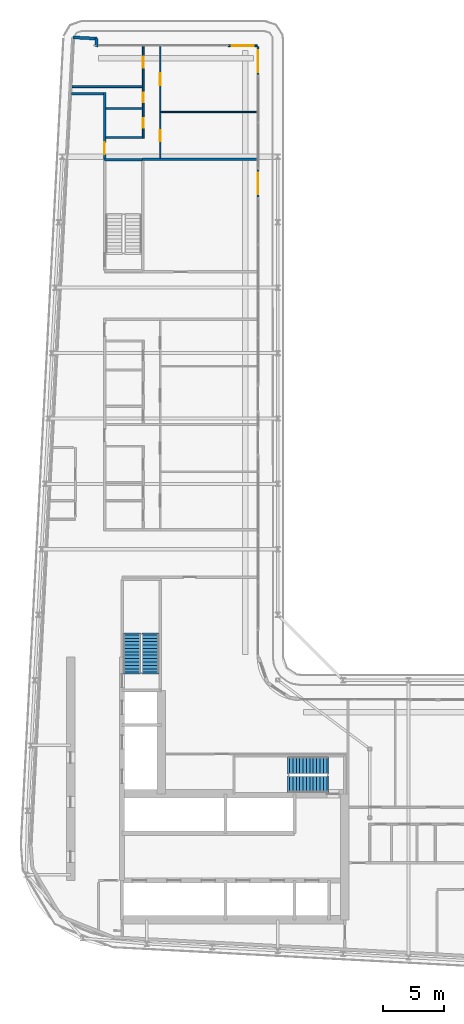
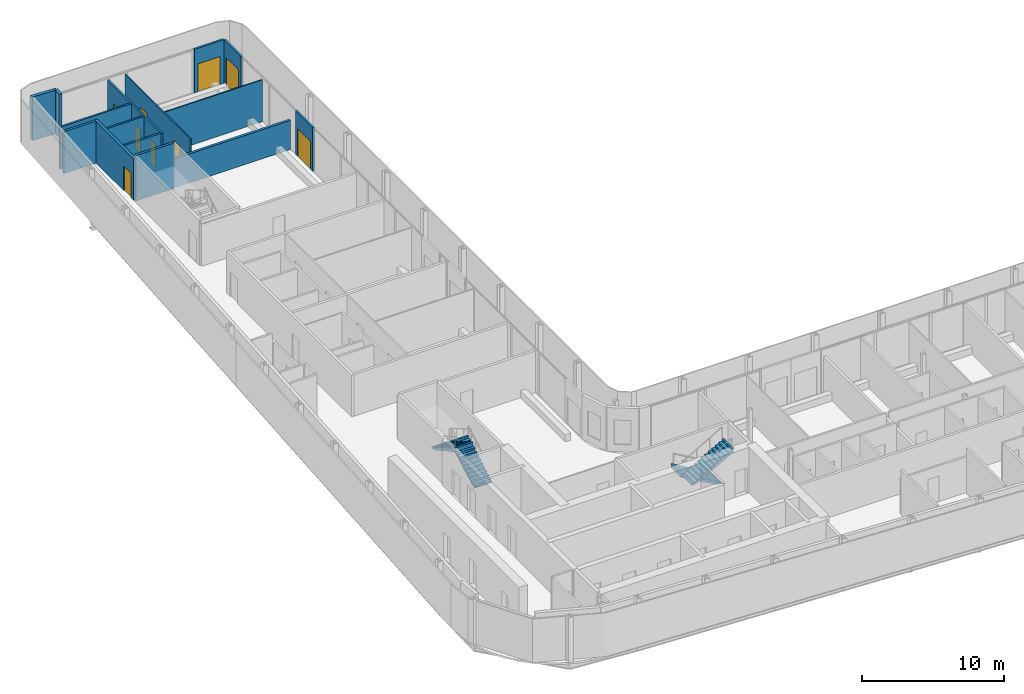
# One storey, part 15 of 23: 15 walls, 9 doors, 4 stair flights, 9 openings, 2 elements without a shape of their own.
"""IFC4 building model written with IfcOpenShell, lengths in metres."""

from ifc_helpers import new_model, si_unit, direction, frame, frame_2d, origin, place, context, subcontext, project, spatial, polyline, rectangle, outline, extrude, source, transform, mapped, material, layer, layer_set, type_object, element, fill, aggregate, save


model = new_model("IFC4")

# Units and contexts
model_context = context("Model", 3, precision=1e-05, world=origin(), true_north=direction((0.0, 1.0)))
body_context = subcontext(model_context, "Body", "Model", "MODEL_VIEW")
ifc_project = project(units=[si_unit("LENGTHUNIT", "METRE"), si_unit("AREAUNIT", "SQUARE_METRE"), si_unit("VOLUMEUNIT", "CUBIC_METRE"), si_unit("PLANEANGLEUNIT", "RADIAN"), si_unit("MASSUNIT", "GRAM", prefix="KILO")], contexts=[model_context])

# Site, building, storey
site_placement = place(None, origin())
site = spatial("IfcSite", under=ifc_project, at=site_placement, CompositionType="ELEMENT")
building_placement = place(site_placement, origin())
building = spatial("IfcBuilding", under=site, at=building_placement, Name="Kheshtan School and Residences Tower", CompositionType="ELEMENT")
storey_placement = place(building_placement, frame((0.0, 0.0, 247.39990234375)))
storey = spatial("IfcBuildingStorey", under=building, at=storey_placement, Name="L58", CompositionType="ELEMENT", Elevation=247.39990234375)

# Wall
ifc_material_1 = material(Name="Gypsum board on steel studs with fire boards", Category="steel")
ifc_layer_1 = layer(ifc_material_1, 0.199951171875)
ifc_layer_set_1 = layer_set([ifc_layer_1], Name="Corridor wall 200")
wall_type_1 = type_object("IfcWallType", Name="Corridor wall 200", PredefinedType="PARTITIONING", material=ifc_layer_set_1)
wall_1_placement = place(storey_placement, frame((30.584716796875, 94.0, 0.0), z_axis=(0.0, 0.0, 1.0), x_axis=(1.0, 0.0, 0.0)))
element("IfcWall", 1, at=wall_1_placement, inside=storey, type_object=wall_type_1, Name="Partition L58-002", PredefinedType="PARTITIONING", context=body_context, shape_type="SweptSolid", body=[
    extrude(rectangle(XDim=2.615234375, YDim=0.199951171875, at=frame_2d((1.3076171875, 0.0))), origin(), (0.0, 0.0, 1.0), 3.60009765625),
])

# Wall, opening, door
wall_2_placement = place(storey_placement, frame((33.300048828125, 88.60009765625, 0.0), z_axis=(0.0, 0.0, 1.0), x_axis=(0.0, 1.0, 0.0)))
wall_2 = element("IfcWall", 2, at=wall_2_placement, inside=storey, type_object=wall_type_1, Name="Partition L58-005", PredefinedType="PARTITIONING", context=body_context, shape_type="SweptSolid", body=[
    extrude(rectangle(XDim=5.5, YDim=0.199951171875, at=frame_2d((2.75, 0.0))), origin(), (0.0, 0.0, 1.0), 3.60009765625),
])
opening_1_placement = place(wall_2_placement, frame((0.39990234375, 0.0, 0.0)))
opening_1 = element("IfcOpeningElement", 3, at=opening_1_placement, cuts=wall_2, Name="Opening D58-036", PredefinedType="OPENING", context=body_context, shape_type="SweptSolid", body=[
    extrude(rectangle(XDim=1.0, YDim=2.10009765625, at=frame_2d((0.5, 1.050048828125))), frame((0.0, 0.10986328125, 0.0), z_axis=(0.0, -1.0, 0.0), x_axis=(1.0, 0.0, 0.0)), (0.0, 0.0, 1.0), 0.219970703125),
])
ifc_material_2 = material(Name="Steel-framed fire-resisting door leaf", Category="steel")
door_type_1 = type_object("IfcDoorType", Name="Fire door FD30S 1000 x 2100", OperationType="SINGLE_SWING_LEFT", PredefinedType="DOOR", material=ifc_material_2)
shared_shape_1 = source(origin(), body_context, "Body", "SweptSolid", [
    extrude(rectangle(XDim=1.0, YDim=2.10009765625, at=frame_2d((0.5, 1.050048828125))), frame((0.0, 0.02490234375, 0.0), z_axis=(0.0, -1.0, 0.0), x_axis=(1.0, 0.0, 0.0)), (0.0, 0.0, 1.0), 0.050048828125),
])
door_1_placement = place(opening_1_placement, origin())
door_1 = element("IfcDoor", 4, at=door_1_placement, inside=storey, type_object=door_type_1, Name="Door D58-036", OperationType="SINGLE_SWING_LEFT", OverallHeight=2.10009765625, OverallWidth=1.0, PredefinedType="DOOR", context=body_context, shape_type="MappedRepresentation", body=[
    mapped(shared_shape_1, transform((0.0, 0.0, 0.0), x_axis=(1.0, 0.0, 0.0), y_axis=(0.0, 1.0, 0.0), z_axis=(0.0, 0.0, 1.0), scale=1.0)),
])
fill(opening_1, door_1)

# Walls
ifc_material_3 = material(Name="Concrete C40/50 with ceramic cladding and mineral wool insulation", Category="concrete")
ifc_layer_2 = layer(ifc_material_3, 0.25)
ifc_layer_set_2 = layer_set([ifc_layer_2], Name="External wall 250 ceramic clad")
wall_type_2 = type_object("IfcWallType", Name="External wall 250 ceramic clad", PredefinedType="SOLIDWALL", material=ifc_layer_set_2)
wall_3_placement = place(storey_placement, frame((30.705078125, 98.6640625, 0.0), z_axis=(0.0, 0.0, 1.0), x_axis=(0.998577785791, -0.053314216913, 0.0)))
element("IfcWall", 5, at=wall_3_placement, inside=storey, type_object=wall_type_2, Name="External wall L58 5", PredefinedType="SOLIDWALL", context=body_context, shape_type="SweptSolid", body=[
    extrude(rectangle(XDim=1.95068359375, YDim=0.25, at=frame_2d((0.975341796875, 0.0))), origin(), (0.0, 0.0, 1.0), 3.75),
])
wall_4_placement = place(storey_placement, frame((32.653076171875, 98.56005859375, 0.0), z_axis=(0.0, 0.0, 1.0), x_axis=(-0.054093451632, -0.998535877418, 0.0)))
element("IfcWall", 6, at=wall_4_placement, inside=storey, type_object=wall_type_2, Name="External wall L58 6", PredefinedType="SOLIDWALL", context=body_context, shape_type="SweptSolid", body=[
    extrude(rectangle(XDim=0.66796875, YDim=0.25, at=frame_2d((0.333984375, 0.0))), origin(), (0.0, 0.0, 1.0), 3.75),
])

# Wall, opening, door
ifc_material_4 = material(Name="Aluminium frame wall with insulated infill", Category="aluminium")
ifc_layer_3 = layer(ifc_material_4, 0.14990234375)
ifc_layer_set_3 = layer_set([ifc_layer_3], Name="Glazing frame wall 150")
wall_type_3 = type_object("IfcWallType", Name="Glazing frame wall 150", PredefinedType="SOLIDWALL", material=ifc_layer_set_3)
wall_5_placement = place(storey_placement, frame((43.5, 97.97509765625, 0.0), z_axis=(0.0, 0.0, 1.0), x_axis=(1.0, 0.0, 0.0)))
wall_5 = element("IfcWall", 7, at=wall_5_placement, inside=storey, type_object=wall_type_3, Name="Balcony door wall L58 7.1", PredefinedType="SOLIDWALL", context=body_context, shape_type="SweptSolid", body=[
    extrude(rectangle(XDim=2.39990234375, YDim=0.14990234375, at=frame_2d((1.199951171875, 0.0))), origin(), (0.0, 0.0, 1.0), 3.75),
])
opening_2_placement = place(wall_5_placement, frame((0.300048828125, 0.0, 0.0)))
opening_2 = element("IfcOpeningElement", 8, at=opening_2_placement, cuts=wall_5, Name="Opening BD", PredefinedType="OPENING", context=body_context, shape_type="SweptSolid", body=[
    extrude(rectangle(XDim=1.800048828125, YDim=2.39990234375, at=frame_2d((0.89990234375, 1.199951171875))), frame((0.0, 0.0849609375, 0.0), z_axis=(0.0, -1.0, 0.0), x_axis=(1.0, 0.0, 0.0)), (0.0, 0.0, 1.0), 0.169921875),
])
ifc_material_5 = material(Name="Clear low-e glass in thermally broken aluminium frame", Category="aluminium")
door_type_2 = type_object("IfcDoorType", Name="Balcony sliding door", OperationType="SLIDING_TO_LEFT", PredefinedType="DOOR", material=ifc_material_5)
shared_shape_2 = source(origin(), body_context, "Body", "SweptSolid", [
    extrude(rectangle(XDim=1.800048828125, YDim=2.39990234375, at=frame_2d((0.89990234375, 1.199951171875))), frame((0.0, 0.02490234375, 0.0), z_axis=(0.0, -1.0, 0.0), x_axis=(1.0, 0.0, 0.0)), (0.0, 0.0, 1.0), 0.050048828125),
])
door_2_placement = place(opening_2_placement, origin())
door_2 = element("IfcDoor", 9, at=door_2_placement, inside=storey, type_object=door_type_2, Name="Balcony door L58 7.1", OperationType="SLIDING_TO_LEFT", OverallHeight=2.39990234375, OverallWidth=1.800048828125, PredefinedType="DOOR", context=body_context, shape_type="MappedRepresentation", body=[
    mapped(shared_shape_2, transform((0.0, 0.0, 0.0), x_axis=(1.0, 0.0, 0.0), y_axis=(0.0, 1.0, 0.0), z_axis=(0.0, 0.0, 1.0), scale=1.0)),
])
fill(opening_2, door_2)

wall_6_placement = place(storey_placement, frame((45.97509765625, 97.89990234375, 0.0), z_axis=(0.0, 0.0, 1.0), x_axis=(0.0, -1.0, 0.0)))
wall_6 = element("IfcWall", 10, at=wall_6_placement, inside=storey, type_object=wall_type_3, Name="Balcony door wall L58 8.1", PredefinedType="SOLIDWALL", context=body_context, shape_type="SweptSolid", body=[
    extrude(rectangle(XDim=2.39990234375, YDim=0.14990234375, at=frame_2d((1.199951171875, 0.0))), origin(), (0.0, 0.0, 1.0), 3.75),
])
opening_3_placement = place(wall_6_placement, frame((0.300048828125, 0.0, 0.0)))
opening_3 = element("IfcOpeningElement", 11, at=opening_3_placement, cuts=wall_6, Name="Opening BD", PredefinedType="OPENING", context=body_context, shape_type="SweptSolid", body=[
    extrude(rectangle(XDim=1.800048828125, YDim=2.39990234375, at=frame_2d((0.89990234375, 1.199951171875))), frame((0.0, 0.0849609375, 0.0), z_axis=(0.0, -1.0, 0.0), x_axis=(1.0, 0.0, 0.0)), (0.0, 0.0, 1.0), 0.169921875),
])
door_3_placement = place(opening_3_placement, origin())
door_3 = element("IfcDoor", 12, at=door_3_placement, inside=storey, type_object=door_type_2, Name="Balcony door L58 8.1", OperationType="SLIDING_TO_LEFT", OverallHeight=2.39990234375, OverallWidth=1.800048828125, PredefinedType="DOOR", context=body_context, shape_type="MappedRepresentation", body=[
    mapped(shared_shape_2, transform((0.0, 0.0, 0.0), x_axis=(1.0, 0.0, 0.0), y_axis=(0.0, 1.0, 0.0), z_axis=(0.0, 0.0, 1.0), scale=1.0)),
])
fill(opening_3, door_3)

wall_7_placement = place(storey_placement, frame((45.97509765625, 87.805908203125, 0.0), z_axis=(0.0, 0.0, 1.0), x_axis=(0.0, -1.0, 0.0)))
wall_7 = element("IfcWall", 13, at=wall_7_placement, inside=storey, type_object=wall_type_3, Name="Balcony door wall L58 8.2", PredefinedType="SOLIDWALL", context=body_context, shape_type="SweptSolid", body=[
    extrude(rectangle(XDim=2.39990234375, YDim=0.14990234375, at=frame_2d((1.199951171875, 0.0))), origin(), (0.0, 0.0, 1.0), 3.75),
])
opening_4_placement = place(wall_7_placement, frame((0.300048828125, 0.0, 0.0)))
opening_4 = element("IfcOpeningElement", 14, at=opening_4_placement, cuts=wall_7, Name="Opening BD", PredefinedType="OPENING", context=body_context, shape_type="SweptSolid", body=[
    extrude(rectangle(XDim=1.800048828125, YDim=2.39990234375, at=frame_2d((0.89990234375, 1.199951171875))), frame((0.0, 0.0849609375, 0.0), z_axis=(0.0, -1.0, 0.0), x_axis=(1.0, 0.0, 0.0)), (0.0, 0.0, 1.0), 0.169921875),
])
door_4_placement = place(opening_4_placement, origin())
door_4 = element("IfcDoor", 15, at=door_4_placement, inside=storey, type_object=door_type_2, Name="Balcony door L58 8.2", OperationType="SLIDING_TO_LEFT", OverallHeight=2.39990234375, OverallWidth=1.800048828125, PredefinedType="DOOR", context=body_context, shape_type="MappedRepresentation", body=[
    mapped(shared_shape_2, transform((0.0, 0.0, 0.0), x_axis=(1.0, 0.0, 0.0), y_axis=(0.0, 1.0, 0.0), z_axis=(0.0, 0.0, 1.0), scale=1.0)),
])
fill(opening_4, door_4)

# Wall, openings, doors
ifc_material_6 = material(Name="Gypsum board on steel studs", Category="steel")
ifc_layer_4 = layer(ifc_material_6, 0.10009765625)
ifc_layer_set_4 = layer_set([ifc_layer_4], Name="Gypsum partition 100")
wall_type_4 = type_object("IfcWallType", Name="Gypsum partition 100", PredefinedType="PARTITIONING", material=ifc_layer_set_4)
wall_8_placement = place(storey_placement, frame((37.89990234375, 88.699951171875, 0.0), z_axis=(0.0, 0.0, 1.0), x_axis=(0.0, 1.0, 0.0)))
wall_8 = element("IfcWall", 16, at=wall_8_placement, inside=storey, type_object=wall_type_4, Name="Partition L58-026", PredefinedType="PARTITIONING", context=body_context, shape_type="SweptSolid", body=[
    extrude(rectangle(XDim=9.199951171875, YDim=0.10009765625, at=frame_2d((4.60009765625, 0.0))), origin(), (0.0, 0.0, 1.0), 3.60009765625),
])
opening_5_placement = place(wall_8_placement, frame((1.39990234375, 0.0, 0.0)))
opening_5 = element("IfcOpeningElement", 17, at=opening_5_placement, cuts=wall_8, Name="Opening D58-035", PredefinedType="OPENING", context=body_context, shape_type="SweptSolid", body=[
    extrude(rectangle(XDim=0.89990234375, YDim=2.10009765625, at=frame_2d((0.449951171875, 1.050048828125))), frame((0.0, 0.06005859375, 0.0), z_axis=(0.0, -1.0, 0.0), x_axis=(1.0, 0.0, 0.0)), (0.0, 0.0, 1.0), 0.1201171875),
])
opening_6_placement = place(wall_8_placement, frame((6.0, 0.0, 0.0)))
opening_6 = element("IfcOpeningElement", 18, at=opening_6_placement, cuts=wall_8, Name="Opening D58-038", PredefinedType="OPENING", context=body_context, shape_type="SweptSolid", body=[
    extrude(rectangle(XDim=1.0, YDim=2.10009765625, at=frame_2d((0.5, 1.050048828125))), frame((0.0, 0.06005859375, 0.0), z_axis=(0.0, -1.0, 0.0), x_axis=(1.0, 0.0, 0.0)), (0.0, 0.0, 1.0), 0.1201171875),
])
ifc_material_7 = material(Name="Veneered timber door leaf", Category="wood")
door_type_3 = type_object("IfcDoorType", Name="Door 1000 x 2100", OperationType="SINGLE_SWING_LEFT", PredefinedType="DOOR", material=ifc_material_7)
shared_shape_3 = source(origin(), body_context, "Body", "SweptSolid", [
    extrude(rectangle(XDim=1.0, YDim=2.10009765625, at=frame_2d((0.5, 1.050048828125))), frame((0.0, 0.02490234375, 0.0), z_axis=(0.0, -1.0, 0.0), x_axis=(1.0, 0.0, 0.0)), (0.0, 0.0, 1.0), 0.050048828125),
])
door_5_placement = place(opening_6_placement, origin())
door_5 = element("IfcDoor", 19, at=door_5_placement, inside=storey, type_object=door_type_3, Name="Door D58-038", OperationType="SINGLE_SWING_RIGHT", OverallHeight=2.10009765625, OverallWidth=1.0, PredefinedType="DOOR", context=body_context, shape_type="MappedRepresentation", body=[
    mapped(shared_shape_3, transform((0.0, 0.0, 0.0), x_axis=(1.0, 0.0, 0.0), y_axis=(0.0, 1.0, 0.0), z_axis=(0.0, 0.0, 1.0), scale=1.0)),
])
fill(opening_6, door_5)
door_type_4 = type_object("IfcDoorType", Name="Door 900 x 2100", OperationType="SINGLE_SWING_LEFT", PredefinedType="DOOR", material=ifc_material_7)
shared_shape_4 = source(origin(), body_context, "Body", "SweptSolid", [
    extrude(rectangle(XDim=0.89990234375, YDim=2.10009765625, at=frame_2d((0.449951171875, 1.050048828125))), frame((0.0, 0.02490234375, 0.0), z_axis=(0.0, -1.0, 0.0), x_axis=(1.0, 0.0, 0.0)), (0.0, 0.0, 1.0), 0.050048828125),
])
door_6_placement = place(opening_5_placement, origin())
door_6 = element("IfcDoor", 20, at=door_6_placement, inside=storey, type_object=door_type_4, Name="Door D58-035", OperationType="SINGLE_SWING_LEFT", OverallHeight=2.10009765625, OverallWidth=0.89990234375, PredefinedType="DOOR", context=body_context, shape_type="MappedRepresentation", body=[
    mapped(shared_shape_4, transform((0.0, 0.0, 0.0), x_axis=(1.0, 0.0, 0.0), y_axis=(0.0, 1.0, 0.0), z_axis=(0.0, 0.0, 1.0), scale=1.0)),
])
fill(opening_5, door_6)

# Walls
wall_9_placement = place(storey_placement, frame((37.949951171875, 92.5, 0.0), z_axis=(0.0, 0.0, 1.0), x_axis=(1.0, 0.0, 0.0)))
element("IfcWall", 21, at=wall_9_placement, inside=storey, type_object=wall_type_4, Name="Partition L58-029", PredefinedType="PARTITIONING", context=body_context, shape_type="SweptSolid", body=[
    extrude(rectangle(XDim=7.949951171875, YDim=0.10009765625, at=frame_2d((3.97509765625, 0.0))), origin(), (0.0, 0.0, 1.0), 3.60009765625),
])
ifc_material_8 = material(Name="Concrete C40/50", Category="concrete")
ifc_layer_5 = layer(ifc_material_8, 0.199951171875)
ifc_layer_set_5 = layer_set([ifc_layer_5], Name="Stair enclosure wall 200 Concrete C40/50")
wall_type_5 = type_object("IfcWallType", Name="Stair enclosure wall 200 Concrete C40/50", PredefinedType="SHEAR", material=ifc_layer_set_5)
wall_10_placement = place(storey_placement, frame((33.300048828125, 88.56005859375, 0.0), z_axis=(0.0, 0.0, 1.0), x_axis=(1.0, 0.0, 0.0)))
element("IfcWall", 22, at=wall_10_placement, inside=storey, type_object=wall_type_5, Name="Stair enclosure wall ST3", PredefinedType="SHEAR", context=body_context, shape_type="SweptSolid", body=[
    extrude(rectangle(XDim=3.14990234375, YDim=0.199951171875, at=frame_2d((1.574951171875, 0.0))), origin(), (0.0, 0.0, 1.0), 3.900146484375),
])
ifc_material_9 = material(Name="Twin gypsum board on steel studs with mineral wool", Category="steel")
ifc_layer_6 = layer(ifc_material_9, 0.199951171875)
ifc_layer_set_6 = layer_set([ifc_layer_6], Name="Unit demising wall 200")
wall_type_6 = type_object("IfcWallType", Name="Unit demising wall 200", PredefinedType="PARTITIONING", material=ifc_layer_set_6)
wall_11_placement = place(storey_placement, frame((36.449951171875, 88.60009765625, 0.0), z_axis=(0.0, 0.0, 1.0), x_axis=(1.0, 0.0, 0.0)))
element("IfcWall", 23, at=wall_11_placement, inside=storey, type_object=wall_type_6, Name="Partition L58-022", PredefinedType="PARTITIONING", context=body_context, shape_type="SweptSolid", body=[
    extrude(rectangle(XDim=9.449951171875, YDim=0.199951171875, at=frame_2d((4.72509765625, 0.0))), origin(), (0.0, 0.0, 1.0), 2.5),
])
ifc_material_10 = material(Name="Moisture-resistant gypsum board on steel studs", Category="steel")
ifc_layer_7 = layer(ifc_material_10, 0.14990234375)
ifc_layer_set_7 = layer_set([ifc_layer_7], Name="Wet-room partition 150")
wall_type_7 = type_object("IfcWallType", Name="Wet-room partition 150", PredefinedType="PARTITIONING", material=ifc_layer_set_7)
wall_12_placement = place(storey_placement, frame((30.616943359375, 94.60009765625, 0.0), z_axis=(0.0, 0.0, 1.0), x_axis=(1.0, 0.0, 0.0)))
element("IfcWall", 24, at=wall_12_placement, inside=storey, type_object=wall_type_7, Name="Partition L58-001", PredefinedType="PARTITIONING", context=body_context, shape_type="SweptSolid", body=[
    extrude(rectangle(XDim=5.80810546875, YDim=0.14990234375, at=frame_2d((2.904052734375, 0.0))), origin(), (0.0, 0.0, 1.0), 3.60009765625),
])
for number, where, z_axis, x_axis, name in (
    (25, (33.39990234375, 90.39990234375, 0.0), (0.0, 0.0, 1.0), (1.0, 0.0, 0.0), "Partition L58-015"),
    (26, (33.39990234375, 92.800048828125, 0.0), (0.0, 0.0, 1.0), (1.0, 0.0, 0.0), "Partition L58-016"),
):
    element("IfcWall", number, at=place(storey_placement, frame(where, z_axis=z_axis, x_axis=x_axis)), inside=storey, type_object=wall_type_7, Name=name, PredefinedType="PARTITIONING", context=body_context, shape_type="SweptSolid", body=[
        extrude(rectangle(XDim=3.025146484375, YDim=0.14990234375, at=frame_2d((1.5126953125, 0.0))), origin(), (0.0, 0.0, 1.0), 3.60009765625),
    ])

# Wall, openings, doors
wall_13_placement = place(storey_placement, frame((36.5, 90.324951171875, 0.0), z_axis=(0.0, 0.0, 1.0), x_axis=(0.0, 1.0, 0.0)))
wall_13 = element("IfcWall", 27, at=wall_13_placement, inside=storey, type_object=wall_type_7, Name="Partition L58-023", PredefinedType="PARTITIONING", context=body_context, shape_type="SweptSolid", body=[
    extrude(rectangle(XDim=7.574951171875, YDim=0.14990234375, at=frame_2d((3.78759765625, 0.0))), origin(), (0.0, 0.0, 1.0), 3.60009765625),
])
opening_7_placement = place(wall_13_placement, frame((0.875, 0.0, 0.0)))
opening_7 = element("IfcOpeningElement", 28, at=opening_7_placement, cuts=wall_13, Name="Opening D58-034", PredefinedType="OPENING", context=body_context, shape_type="SweptSolid", body=[
    extrude(rectangle(XDim=0.800048828125, YDim=2.10009765625, at=frame_2d((0.39990234375, 1.050048828125))), frame((0.0, 0.0849609375, 0.0), z_axis=(0.0, -1.0, 0.0), x_axis=(1.0, 0.0, 0.0)), (0.0, 0.0, 1.0), 0.169921875),
])
opening_8_placement = place(wall_13_placement, frame((5.824951171875, 0.0, 0.0)))
opening_8 = element("IfcOpeningElement", 29, at=opening_8_placement, cuts=wall_13, Name="Opening D58-037", PredefinedType="OPENING", context=body_context, shape_type="SweptSolid", body=[
    extrude(rectangle(XDim=0.89990234375, YDim=2.10009765625, at=frame_2d((0.449951171875, 1.050048828125))), frame((0.0, 0.0849609375, 0.0), z_axis=(0.0, -1.0, 0.0), x_axis=(1.0, 0.0, 0.0)), (0.0, 0.0, 1.0), 0.169921875),
])
opening_9_placement = place(wall_13_placement, frame((2.97509765625, 0.0, 0.0)))
opening_9 = element("IfcOpeningElement", 30, at=opening_9_placement, cuts=wall_13, Name="Opening D58-039", PredefinedType="OPENING", context=body_context, shape_type="SweptSolid", body=[
    extrude(rectangle(XDim=0.800048828125, YDim=2.10009765625, at=frame_2d((0.39990234375, 1.050048828125))), frame((0.0, 0.0849609375, 0.0), z_axis=(0.0, -1.0, 0.0), x_axis=(1.0, 0.0, 0.0)), (0.0, 0.0, 1.0), 0.169921875),
])
door_type_5 = type_object("IfcDoorType", Name="Door 800 x 2100", OperationType="SINGLE_SWING_LEFT", PredefinedType="DOOR", material=ifc_material_7)
shared_shape_5 = source(origin(), body_context, "Body", "SweptSolid", [
    extrude(rectangle(XDim=0.800048828125, YDim=2.10009765625, at=frame_2d((0.39990234375, 1.050048828125))), frame((0.0, 0.02490234375, 0.0), z_axis=(0.0, -1.0, 0.0), x_axis=(1.0, 0.0, 0.0)), (0.0, 0.0, 1.0), 0.050048828125),
])
door_7_placement = place(opening_7_placement, origin())
door_7 = element("IfcDoor", 31, at=door_7_placement, inside=storey, type_object=door_type_5, Name="Door D58-034", OperationType="SINGLE_SWING_LEFT", OverallHeight=2.10009765625, OverallWidth=0.800048828125, PredefinedType="DOOR", context=body_context, shape_type="MappedRepresentation", body=[
    mapped(shared_shape_5, transform((0.0, 0.0, 0.0), x_axis=(1.0, 0.0, 0.0), y_axis=(0.0, 1.0, 0.0), z_axis=(0.0, 0.0, 1.0), scale=1.0)),
])
fill(opening_7, door_7)
door_8_placement = place(opening_9_placement, origin())
door_8 = element("IfcDoor", 32, at=door_8_placement, inside=storey, type_object=door_type_5, Name="Door D58-039", OperationType="SINGLE_SWING_RIGHT", OverallHeight=2.10009765625, OverallWidth=0.800048828125, PredefinedType="DOOR", context=body_context, shape_type="MappedRepresentation", body=[
    mapped(shared_shape_5, transform((0.0, 0.0, 0.0), x_axis=(1.0, 0.0, 0.0), y_axis=(0.0, 1.0, 0.0), z_axis=(0.0, 0.0, 1.0), scale=1.0)),
])
fill(opening_9, door_8)
door_9_placement = place(opening_8_placement, origin())
door_9 = element("IfcDoor", 33, at=door_9_placement, inside=storey, type_object=door_type_4, Name="Door D58-037", OperationType="SINGLE_SWING_LEFT", OverallHeight=2.10009765625, OverallWidth=0.89990234375, PredefinedType="DOOR", context=body_context, shape_type="MappedRepresentation", body=[
    mapped(shared_shape_4, transform((0.0, 0.0, 0.0), x_axis=(1.0, 0.0, 0.0), y_axis=(0.0, 1.0, 0.0), z_axis=(0.0, 0.0, 1.0), scale=1.0)),
])
fill(opening_8, door_9)

# Stair, stair flights
stair_type = type_object("IfcStairType", Name="Exit stair, half-turn", PredefinedType="HALF_TURN_STAIR", material=ifc_material_8)
stair_1_placement = place(storey_placement, origin())
stair_1 = element("IfcStair", 34, at=stair_1_placement, inside=storey, type_object=stair_type, Name="L58 Protected Exit Stair ST1", PredefinedType="HALF_TURN_STAIR")
ifc_layer_8 = layer(ifc_material_8, 0.14990234375)
ifc_layer_set_8 = layer_set([ifc_layer_8], Name="Stair flight 1400 Concrete C40/50")
stair_flight_type = type_object("IfcStairFlightType", Name="Stair flight 1400 Concrete C40/50", PredefinedType="STRAIGHT", material=ifc_layer_set_8)
stair_flight_1_placement = place(storey_placement, frame((51.64990234375, 38.550048828125, 0.0), z_axis=(0.0, 0.0, 1.0), x_axis=(-1.0, 0.0, 0.0)))
stair_flight_1 = element("IfcStairFlight", 35, at=stair_flight_1_placement, type_object=stair_flight_type, Name="ST1 flight 1", NumberOfRisers=12, NumberOfTreads=11, PredefinedType="STRAIGHT", RiserHeight=0.1625, TreadLength=0.28, context=body_context, shape_type="SweptSolid", body=[
    extrude(outline(polyline([(-0.14990234375, -0.10009765625), (-0.14990234375, 0.0), (0.0, 0.0), (0.0, 0.16259765625), (0.280029296875, 0.16259765625), (0.280029296875, 0.324951171875), (0.56005859375, 0.324951171875), (0.56005859375, 0.487548828125), (0.840087890625, 0.487548828125), (0.840087890625, 0.64990234375), (1.1201171875, 0.64990234375), (1.1201171875, 0.8125), (1.39990234375, 0.8125), (1.39990234375, 0.97509765625), (1.679931640625, 0.97509765625), (1.679931640625, 1.137451171875), (1.9599609375, 1.137451171875), (1.9599609375, 1.300048828125), (2.239990234375, 1.300048828125), (2.239990234375, 1.46240234375), (2.52001953125, 1.46240234375), (2.52001953125, 1.625), (2.800048828125, 1.625), (2.800048828125, 1.78759765625), (3.080078125, 1.78759765625), (3.080078125, 1.949951171875), (3.080078125, 1.969970703125), (3.22998046875, 1.969970703125), (3.22998046875, 1.6142578125), (0.298583984375, 0.0), (-0.14990234375, -0.10009765625)])), frame((0.0, 0.699951171875, 0.0), z_axis=(0.0, -1.0, 0.0), x_axis=(1.0, 0.0, 0.0)), (0.0, 0.0, 1.0), 1.39990234375),
])
stair_flight_2_placement = place(storey_placement, frame((48.570068359375, 37.0, 1.9501953125), z_axis=(0.0, 0.0, 1.0), x_axis=(1.0, 0.0, 0.0)))
stair_flight_2 = element("IfcStairFlight", 36, at=stair_flight_2_placement, type_object=stair_flight_type, Name="ST1 flight 2", NumberOfRisers=12, NumberOfTreads=11, PredefinedType="STRAIGHT", RiserHeight=0.1625, TreadLength=0.28, context=body_context, shape_type="SweptSolid", body=[
    extrude(outline(polyline([(-0.14990234375, -0.10009765625), (-0.14990234375, 0.0), (0.0, 0.0), (0.0, 0.16259765625), (0.280029296875, 0.16259765625), (0.280029296875, 0.324951171875), (0.56005859375, 0.324951171875), (0.56005859375, 0.487548828125), (0.840087890625, 0.487548828125), (0.840087890625, 0.64990234375), (1.1201171875, 0.64990234375), (1.1201171875, 0.8125), (1.39990234375, 0.8125), (1.39990234375, 0.97509765625), (1.679931640625, 0.97509765625), (1.679931640625, 1.137451171875), (1.9599609375, 1.137451171875), (1.9599609375, 1.300048828125), (2.239990234375, 1.300048828125), (2.239990234375, 1.46240234375), (2.52001953125, 1.46240234375), (2.52001953125, 1.625), (2.800048828125, 1.625), (2.800048828125, 1.78759765625), (3.080078125, 1.78759765625), (3.080078125, 1.949951171875), (3.080078125, 1.969970703125), (3.22998046875, 1.969970703125), (3.22998046875, 1.6142578125), (0.298583984375, 0.0), (-0.14990234375, -0.10009765625)])), frame((0.0, 0.699951171875, 0.0), z_axis=(0.0, -1.0, 0.0), x_axis=(1.0, 0.0, 0.0)), (0.0, 0.0, 1.0), 1.39990234375),
])
aggregate(stair_1, [stair_flight_1, stair_flight_2])

stair_2_placement = place(storey_placement, origin())
stair_2 = element("IfcStair", 37, at=stair_2_placement, inside=storey, type_object=stair_type, Name="L58 Protected Exit Stair ST2", PredefinedType="HALF_TURN_STAIR")
stair_flight_3_placement = place(storey_placement, frame((37.10009765625, 46.25, 0.0), z_axis=(0.0, 0.0, 1.0), x_axis=(0.0, 1.0, 0.0)))
stair_flight_3 = element("IfcStairFlight", 38, at=stair_flight_3_placement, type_object=stair_flight_type, Name="ST2 flight 1", NumberOfRisers=12, NumberOfTreads=11, PredefinedType="STRAIGHT", RiserHeight=0.1625, TreadLength=0.28, context=body_context, shape_type="SweptSolid", body=[
    extrude(outline(polyline([(-0.14990234375, -0.10009765625), (-0.14990234375, 0.0), (0.0, 0.0), (0.0, 0.16259765625), (0.280029296875, 0.16259765625), (0.280029296875, 0.324951171875), (0.56005859375, 0.324951171875), (0.56005859375, 0.487548828125), (0.840087890625, 0.487548828125), (0.840087890625, 0.64990234375), (1.1201171875, 0.64990234375), (1.1201171875, 0.8125), (1.39990234375, 0.8125), (1.39990234375, 0.97509765625), (1.679931640625, 0.97509765625), (1.679931640625, 1.137451171875), (1.9599609375, 1.137451171875), (1.9599609375, 1.300048828125), (2.239990234375, 1.300048828125), (2.239990234375, 1.46240234375), (2.52001953125, 1.46240234375), (2.52001953125, 1.625), (2.800048828125, 1.625), (2.800048828125, 1.78759765625), (3.080078125, 1.78759765625), (3.080078125, 1.949951171875), (3.080078125, 1.969970703125), (3.22998046875, 1.969970703125), (3.22998046875, 1.6142578125), (0.298583984375, 0.0), (-0.14990234375, -0.10009765625)])), frame((0.0, 0.699951171875, 0.0), z_axis=(0.0, -1.0, 0.0), x_axis=(1.0, 0.0, 0.0)), (0.0, 0.0, 1.0), 1.39990234375),
])
stair_flight_4_placement = place(storey_placement, frame((35.550048828125, 49.330078125, 1.9501953125), z_axis=(0.0, 0.0, 1.0), x_axis=(0.0, -1.0, 0.0)))
stair_flight_4 = element("IfcStairFlight", 39, at=stair_flight_4_placement, type_object=stair_flight_type, Name="ST2 flight 2", NumberOfRisers=12, NumberOfTreads=11, PredefinedType="STRAIGHT", RiserHeight=0.1625, TreadLength=0.28, context=body_context, shape_type="SweptSolid", body=[
    extrude(outline(polyline([(-0.14990234375, -0.10009765625), (-0.14990234375, 0.0), (0.0, 0.0), (0.0, 0.16259765625), (0.280029296875, 0.16259765625), (0.280029296875, 0.324951171875), (0.56005859375, 0.324951171875), (0.56005859375, 0.487548828125), (0.840087890625, 0.487548828125), (0.840087890625, 0.64990234375), (1.1201171875, 0.64990234375), (1.1201171875, 0.8125), (1.39990234375, 0.8125), (1.39990234375, 0.97509765625), (1.679931640625, 0.97509765625), (1.679931640625, 1.137451171875), (1.9599609375, 1.137451171875), (1.9599609375, 1.300048828125), (2.239990234375, 1.300048828125), (2.239990234375, 1.46240234375), (2.52001953125, 1.46240234375), (2.52001953125, 1.625), (2.800048828125, 1.625), (2.800048828125, 1.78759765625), (3.080078125, 1.78759765625), (3.080078125, 1.949951171875), (3.080078125, 1.969970703125), (3.22998046875, 1.969970703125), (3.22998046875, 1.6142578125), (0.298583984375, 0.0), (-0.14990234375, -0.10009765625)])), frame((0.0, 0.699951171875, 0.0), z_axis=(0.0, -1.0, 0.0), x_axis=(1.0, 0.0, 0.0)), (0.0, 0.0, 1.0), 1.39990234375),
])
aggregate(stair_2, [stair_flight_3, stair_flight_4])

save(model, "model.ifc")
